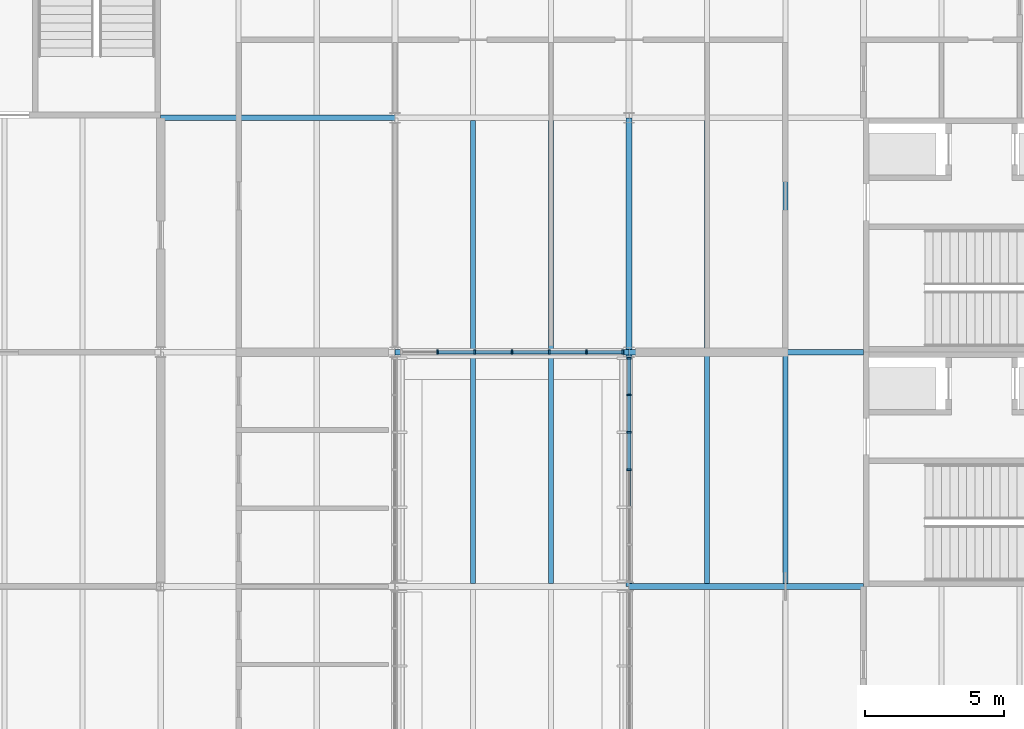
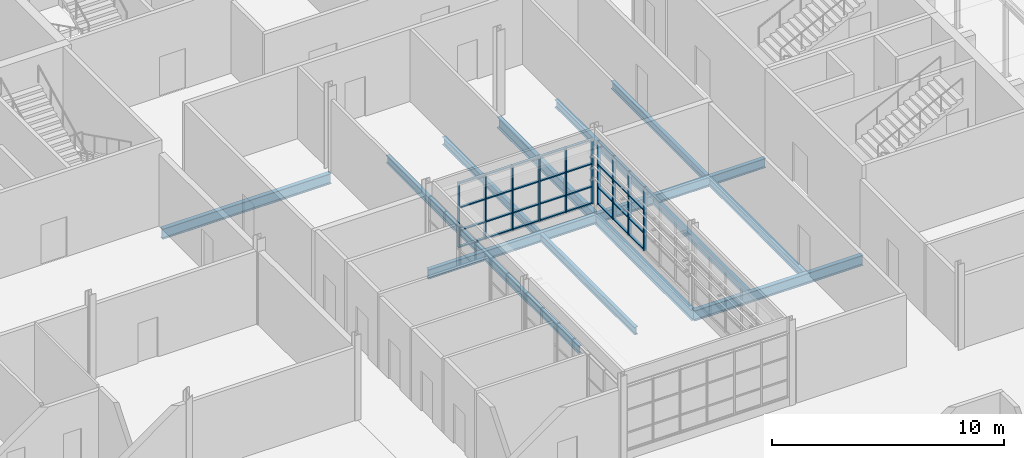
# One storey, part 61 of 116: 43 members, 14 beams, 2 elements without a shape of their own.
"""IFC4 building model written with IfcOpenShell, lengths in metres."""

from ifc_helpers import new_model, si_unit, direction, frame, origin, origin_2d, place, context, subcontext, project, spatial, rectangle, i_section, extrude, material, layer, layer_set, material_profile, profile_set, type_object, element, aggregate, save


model = new_model("IFC4")

# Units and contexts
model_context = context("Model", 3, precision=1e-05, world=origin(), true_north=direction((0.0, 1.0)))
body_context = subcontext(model_context, "Body", "Model", "MODEL_VIEW")
ifc_project = project(units=[si_unit("LENGTHUNIT", "METRE"), si_unit("AREAUNIT", "SQUARE_METRE"), si_unit("VOLUMEUNIT", "CUBIC_METRE"), si_unit("PLANEANGLEUNIT", "RADIAN"), si_unit("MASSUNIT", "GRAM", prefix="KILO")], contexts=[model_context])

# Site, building, storey
site_placement = place(None, origin())
site = spatial("IfcSite", under=ifc_project, at=site_placement, CompositionType="ELEMENT")
building_placement = place(site_placement, origin())
building = spatial("IfcBuilding", under=site, at=building_placement, Name="Ardhachandra Cancer Care Centre", CompositionType="ELEMENT")
storey_placement = place(building_placement, origin())
storey = spatial("IfcBuildingStorey", under=building, at=storey_placement, Name="L00", CompositionType="ELEMENT", Elevation=0.0)

# Beams
ifc_material_1 = material(Name="Steel E350 (IS 2062)", Category="steel")
ifc_material_profile_1 = material_profile(ifc_material_1, i_section(OverallWidth=0.179931640625, OverallDepth=0.39990234375, WebThickness=0.008544921875, FlangeThickness=0.013427734375, FilletRadius=0.02099609375, at=origin_2d()), Name="NPB 400x180x66.30")
ifc_profile_set_1 = profile_set([ifc_material_profile_1], Name="Steel E350 (IS 2062)")
beam_type_1 = type_object("IfcBeamType", Name="Beam NPB 400x180x66.30", PredefinedType="BEAM", material=ifc_profile_set_1)
for number, where, z_axis, x_axis, name in (
    (1, (122.800048828125, 71.5048828125, -0.35009765625), (0.0, 1.0, 0.0), (-1.0, 0.0, 0.0), "Secondary H14-J14@2800"),
    (2, (122.800048828125, 79.89990234375, -0.35009765625), (0.0, 1.0, 0.0), (-1.0, 0.0, 0.0), "Secondary J14-K14@2800"),
    (3, (125.60009765625, 71.5048828125, -0.35009765625), (0.0, 1.0, 0.0), (-1.0, 0.0, 0.0), "Secondary H14-J14@5600"),
    (4, (125.60009765625, 79.89990234375, -0.35009765625), (0.0, 1.0, 0.0), (-1.0, 0.0, 0.0), "Secondary J14-K14@5600"),
    (5, (131.199951171875, 71.5048828125, -0.35009765625), (0.0, 1.0, 0.0), (-1.0, 0.0, 0.0), "Secondary H15-J15@2800"),
    (6, (131.199951171875, 79.89990234375, -0.35009765625), (0.0, 1.0, 0.0), (-1.0, 0.0, 0.0), "Secondary J15-K15@2800"),
    (7, (134.0, 71.5048828125, -0.35009765625), (0.0, 1.0, 0.0), (-1.0, 0.0, 0.0), "Secondary H15-J15@5600"),
    (8, (134.0, 79.89990234375, -0.35009765625), (0.0, 1.0, 0.0), (-1.0, 0.0, 0.0), "Secondary J15-K15@5600"),
):
    element("IfcBeam", number, at=place(storey_placement, frame(where, z_axis=z_axis, x_axis=x_axis)), inside=storey, type_object=beam_type_1, Name=name, PredefinedType="BEAM", context=body_context, shape_type="SweptSolid", body=[
        extrude(i_section(OverallWidth=0.179931640625, OverallDepth=0.39990234375, WebThickness=0.008544921875, FlangeThickness=0.013427734375, FilletRadius=0.02099609375, at=origin_2d()), origin(), (0.0, 0.0, 1.0), 8.195068359375),
    ])
ifc_material_2 = material(Name="Steel E350 (IS 2062)", Category="steel")
ifc_material_profile_2 = material_profile(ifc_material_2, i_section(OverallWidth=0.199951171875, OverallDepth=0.5, WebThickness=0.01025390625, FlangeThickness=0.01611328125, FilletRadius=0.02099609375, at=origin_2d()), Name="NPB 500x200x90.68")
ifc_profile_set_2 = profile_set([ifc_material_profile_2], Name="Steel E350 (IS 2062)")
beam_type_2 = type_object("IfcBeamType", Name="Beam NPB 500x200x90.68", PredefinedType="BEAM", material=ifc_profile_set_2)
beam_1_placement = place(storey_placement, frame((120.0, 79.800048828125, -0.39990234375), z_axis=(1.0, 0.0, 0.0), x_axis=(0.0, 1.0, 0.0)))
element("IfcBeam", 9, at=beam_1_placement, inside=storey, type_object=beam_type_2, Name="Edge girder J14-J15", PredefinedType="BEAM", context=body_context, shape_type="SweptSolid", body=[
    extrude(i_section(OverallWidth=0.199951171875, OverallDepth=0.5, WebThickness=0.01025390625, FlangeThickness=0.01611328125, FilletRadius=0.02099609375, at=origin_2d()), origin(), (0.0, 0.0, 1.0), 8.39990234375),
])
beam_2_placement = place(storey_placement, frame((128.39990234375, 79.800048828125, -0.39990234375), z_axis=(1.0, 0.0, 0.0), x_axis=(0.0, 1.0, 0.0)))
element("IfcBeam", 10, at=beam_2_placement, inside=storey, type_object=beam_type_2, Name="Edge girder J15-J16", PredefinedType="BEAM", context=body_context, shape_type="SweptSolid", body=[
    extrude(i_section(OverallWidth=0.199951171875, OverallDepth=0.5, WebThickness=0.01025390625, FlangeThickness=0.01611328125, FilletRadius=0.02099609375, at=origin_2d()), origin(), (0.0, 0.0, 1.0), 8.400146484375),
])
ifc_material_3 = material(Name="Steel E350 (IS 2062)", Category="steel")
ifc_material_profile_3 = material_profile(ifc_material_3, i_section(OverallWidth=0.2099609375, OverallDepth=0.550048828125, WebThickness=0.010986328125, FlangeThickness=0.01708984375, FilletRadius=0.02392578125, at=origin_2d()), Name="NPB 550x210x105.52")
ifc_profile_set_3 = profile_set([ifc_material_profile_3], Name="Steel E350 (IS 2062)")
beam_type_3 = type_object("IfcBeamType", Name="Beam NPB 550x210x105.52", PredefinedType="BEAM", material=ifc_profile_set_3)
beam_3_placement = place(storey_placement, frame((128.39990234375, 71.39990234375, -0.425048828125), z_axis=(1.0, 0.0, 0.0), x_axis=(0.0, 1.0, 0.0)))
element("IfcBeam", 11, at=beam_3_placement, inside=storey, type_object=beam_type_3, Name="Girder H15-H16", PredefinedType="BEAM", context=body_context, shape_type="SweptSolid", body=[
    extrude(i_section(OverallWidth=0.2099609375, OverallDepth=0.550048828125, WebThickness=0.010986328125, FlangeThickness=0.01708984375, FilletRadius=0.02392578125, at=origin_2d()), origin(), (0.0, 0.0, 1.0), 8.400146484375),
])
beam_4_placement = place(storey_placement, frame((111.60009765625, 88.199951171875, -0.425048828125), z_axis=(1.0, 0.0, 0.0), x_axis=(0.0, 1.0, 0.0)))
element("IfcBeam", 12, at=beam_4_placement, inside=storey, type_object=beam_type_3, Name="Girder K13-K14", PredefinedType="BEAM", context=body_context, shape_type="SweptSolid", body=[
    extrude(i_section(OverallWidth=0.2099609375, OverallDepth=0.550048828125, WebThickness=0.010986328125, FlangeThickness=0.01708984375, FilletRadius=0.02392578125, at=origin_2d()), origin(), (0.0, 0.0, 1.0), 8.39990234375),
])
beam_5_placement = place(storey_placement, frame((128.39990234375, 71.39990234375, -0.425048828125), z_axis=(0.0, 1.0, 0.0), x_axis=(-1.0, 0.0, 0.0)))
element("IfcBeam", 13, at=beam_5_placement, inside=storey, type_object=beam_type_3, Name="Girder H15-J15", PredefinedType="BEAM", context=body_context, shape_type="SweptSolid", body=[
    extrude(i_section(OverallWidth=0.2099609375, OverallDepth=0.550048828125, WebThickness=0.010986328125, FlangeThickness=0.01708984375, FilletRadius=0.02392578125, at=origin_2d()), origin(), (0.0, 0.0, 1.0), 8.400146484375),
])
beam_6_placement = place(storey_placement, frame((128.39990234375, 79.800048828125, -0.425048828125), z_axis=(0.0, 1.0, 0.0), x_axis=(-1.0, 0.0, 0.0)))
element("IfcBeam", 14, at=beam_6_placement, inside=storey, type_object=beam_type_3, Name="Girder J15-K15", PredefinedType="BEAM", context=body_context, shape_type="SweptSolid", body=[
    extrude(i_section(OverallWidth=0.2099609375, OverallDepth=0.550048828125, WebThickness=0.010986328125, FlangeThickness=0.01708984375, FilletRadius=0.02392578125, at=origin_2d()), origin(), (0.0, 0.0, 1.0), 8.39990234375),
])

# Curtain wall, members
ifc_material_4 = material(Name="Aluminium extrusion", Category="aluminium")
ifc_layer = layer(ifc_material_4, 0.14990234375)
ifc_layer_set = layer_set([ifc_layer], Name="Aluminium extrusion")
curtain_wall_type = type_object("IfcCurtainWallType", Name="Curtain wall run", PredefinedType="NOTDEFINED", material=ifc_layer_set)
curtain_wall_1_placement = place(storey_placement, origin())
curtain_wall_1 = element("IfcCurtainWall", 15, at=curtain_wall_1_placement, inside=storey, type_object=curtain_wall_type, Name="Curtain wall L00 s/0120000_0079800", PredefinedType="NOTDEFINED")
ifc_material_5 = material(Name="Aluminium extrusion", Category="aluminium")
ifc_material_profile_4 = material_profile(ifc_material_5, rectangle(XDim=0.159912109375, YDim=0.06005859375, at=origin_2d()), Name="Curtain wall mullion 60 x 160")
ifc_profile_set_4 = profile_set([ifc_material_profile_4], Name="Aluminium extrusion")
member_type_1 = type_object("IfcMemberType", Name="Curtain wall mullion 60 x 160", PredefinedType="MULLION", material=ifc_profile_set_4)
member_1_placement = place(storey_placement, frame((121.53173828125, 79.800048828125, 0.449951171875), z_axis=(0.0, 0.0, 1.0), x_axis=(0.0, 1.0, 0.0)))
member_1 = element("IfcMember", 16, at=member_1_placement, type_object=member_type_1, Name="CW mullion 2", PredefinedType="MULLION", context=body_context, shape_type="SweptSolid", body=[
    extrude(rectangle(XDim=0.159912109375, YDim=0.06005859375, at=origin_2d()), origin(), (0.0, 0.0, 1.0), 3.400146484375),
])
member_2_placement = place(storey_placement, frame((122.86572265625, 79.800048828125, 0.449951171875), z_axis=(0.0, 0.0, 1.0), x_axis=(0.0, 1.0, 0.0)))
member_2 = element("IfcMember", 17, at=member_2_placement, type_object=member_type_1, Name="CW mullion 3", PredefinedType="MULLION", context=body_context, shape_type="SweptSolid", body=[
    extrude(rectangle(XDim=0.159912109375, YDim=0.06005859375, at=origin_2d()), origin(), (0.0, 0.0, 1.0), 3.400146484375),
])
member_3_placement = place(storey_placement, frame((124.199951171875, 79.800048828125, 0.449951171875), z_axis=(0.0, 0.0, 1.0), x_axis=(0.0, 1.0, 0.0)))
member_3 = element("IfcMember", 18, at=member_3_placement, type_object=member_type_1, Name="CW mullion 4", PredefinedType="MULLION", context=body_context, shape_type="SweptSolid", body=[
    extrude(rectangle(XDim=0.159912109375, YDim=0.06005859375, at=origin_2d()), origin(), (0.0, 0.0, 1.0), 3.400146484375),
])
member_4_placement = place(storey_placement, frame((125.5341796875, 79.800048828125, 0.449951171875), z_axis=(0.0, 0.0, 1.0), x_axis=(0.0, 1.0, 0.0)))
member_4 = element("IfcMember", 19, at=member_4_placement, type_object=member_type_1, Name="CW mullion 5", PredefinedType="MULLION", context=body_context, shape_type="SweptSolid", body=[
    extrude(rectangle(XDim=0.159912109375, YDim=0.06005859375, at=origin_2d()), origin(), (0.0, 0.0, 1.0), 3.400146484375),
])
member_5_placement = place(storey_placement, frame((126.868408203125, 79.800048828125, 0.449951171875), z_axis=(0.0, 0.0, 1.0), x_axis=(0.0, 1.0, 0.0)))
member_5 = element("IfcMember", 20, at=member_5_placement, type_object=member_type_1, Name="CW mullion 6", PredefinedType="MULLION", context=body_context, shape_type="SweptSolid", body=[
    extrude(rectangle(XDim=0.159912109375, YDim=0.06005859375, at=origin_2d()), origin(), (0.0, 0.0, 1.0), 3.400146484375),
])
member_6_placement = place(storey_placement, frame((128.172607421875, 79.800048828125, 0.449951171875), z_axis=(0.0, 0.0, 1.0), x_axis=(0.0, 1.0, 0.0)))
member_6 = element("IfcMember", 21, at=member_6_placement, type_object=member_type_1, Name="CW mullion 7", PredefinedType="MULLION", context=body_context, shape_type="SweptSolid", body=[
    extrude(rectangle(XDim=0.159912109375, YDim=0.06005859375, at=origin_2d()), origin(), (0.0, 0.0, 1.0), 3.400146484375),
])

curtain_wall_2_placement = place(storey_placement, origin())
curtain_wall_2 = element("IfcCurtainWall", 22, at=curtain_wall_2_placement, inside=storey, type_object=curtain_wall_type, Name="Curtain wall L00 w/0128400_0071400", PredefinedType="NOTDEFINED")
member_7_placement = place(storey_placement, frame((128.39990234375, 75.580078125, 0.449951171875), z_axis=(0.0, 0.0, 1.0), x_axis=(-1.0, 0.0, 0.0)))
member_7 = element("IfcMember", 23, at=member_7_placement, type_object=member_type_1, Name="CW mullion 4", PredefinedType="MULLION", context=body_context, shape_type="SweptSolid", body=[
    extrude(rectangle(XDim=0.159912109375, YDim=0.06005859375, at=origin_2d()), origin(), (0.0, 0.0, 1.0), 3.35009765625),
])
member_8_placement = place(storey_placement, frame((128.39990234375, 76.92333984375, 0.449951171875), z_axis=(0.0, 0.0, 1.0), x_axis=(-1.0, 0.0, 0.0)))
member_8 = element("IfcMember", 24, at=member_8_placement, type_object=member_type_1, Name="CW mullion 5", PredefinedType="MULLION", context=body_context, shape_type="SweptSolid", body=[
    extrude(rectangle(XDim=0.159912109375, YDim=0.06005859375, at=origin_2d()), origin(), (0.0, 0.0, 1.0), 3.35009765625),
])
member_9_placement = place(storey_placement, frame((128.39990234375, 78.2666015625, 0.449951171875), z_axis=(0.0, 0.0, 1.0), x_axis=(-1.0, 0.0, 0.0)))
member_9 = element("IfcMember", 25, at=member_9_placement, type_object=member_type_1, Name="CW mullion 6", PredefinedType="MULLION", context=body_context, shape_type="SweptSolid", body=[
    extrude(rectangle(XDim=0.159912109375, YDim=0.06005859375, at=origin_2d()), origin(), (0.0, 0.0, 1.0), 3.35009765625),
])
member_10_placement = place(storey_placement, frame((128.39990234375, 79.580078125, 0.449951171875), z_axis=(0.0, 0.0, 1.0), x_axis=(-1.0, 0.0, 0.0)))
member_10 = element("IfcMember", 26, at=member_10_placement, type_object=member_type_1, Name="CW mullion 7", PredefinedType="MULLION", context=body_context, shape_type="SweptSolid", body=[
    extrude(rectangle(XDim=0.159912109375, YDim=0.06005859375, at=origin_2d()), origin(), (0.0, 0.0, 1.0), 3.35009765625),
])

# Member
ifc_material_6 = material(Name="Aluminium extrusion", Category="aluminium")
ifc_material_profile_5 = material_profile(ifc_material_6, rectangle(XDim=0.1201171875, YDim=0.06005859375, at=origin_2d()), Name="Curtain wall transom 60 x 120")
ifc_profile_set_5 = profile_set([ifc_material_profile_5], Name="Aluminium extrusion")
member_type_2 = type_object("IfcMemberType", Name="Curtain wall transom 60 x 120", PredefinedType="USERDEFINED", material=ifc_profile_set_5)
member_11_placement = place(storey_placement, frame((121.561767578125, 79.800048828125, 0.47998046875), z_axis=(1.0, 0.0, 0.0), x_axis=(0.0, 1.0, 0.0)))
member_11 = element("IfcMember", 27, at=member_11_placement, type_object=member_type_2, Name="CW transom 2.1", ObjectType="TRANSOM", PredefinedType="USERDEFINED", context=body_context, shape_type="SweptSolid", body=[
    extrude(rectangle(XDim=0.1201171875, YDim=0.06005859375, at=origin_2d()), origin(), (0.0, 0.0, 1.0), 1.274169921875),
])

member_12_placement = place(storey_placement, frame((121.561767578125, 79.800048828125, 1.35009765625), z_axis=(1.0, 0.0, 0.0), x_axis=(0.0, 1.0, 0.0)))
member_12 = element("IfcMember", 28, at=member_12_placement, type_object=member_type_2, Name="CW transom 2.2", ObjectType="TRANSOM", PredefinedType="USERDEFINED", context=body_context, shape_type="SweptSolid", body=[
    extrude(rectangle(XDim=0.1201171875, YDim=0.06005859375, at=origin_2d()), origin(), (0.0, 0.0, 1.0), 1.274169921875),
])

member_13_placement = place(storey_placement, frame((121.561767578125, 79.800048828125, 2.550048828125), z_axis=(1.0, 0.0, 0.0), x_axis=(0.0, 1.0, 0.0)))
member_13 = element("IfcMember", 29, at=member_13_placement, type_object=member_type_2, Name="CW transom 2.3", ObjectType="TRANSOM", PredefinedType="USERDEFINED", context=body_context, shape_type="SweptSolid", body=[
    extrude(rectangle(XDim=0.1201171875, YDim=0.06005859375, at=origin_2d()), origin(), (0.0, 0.0, 1.0), 1.274169921875),
])

member_14_placement = place(storey_placement, frame((121.561767578125, 79.800048828125, 3.820068359375), z_axis=(1.0, 0.0, 0.0), x_axis=(0.0, 1.0, 0.0)))
member_14 = element("IfcMember", 30, at=member_14_placement, type_object=member_type_2, Name="CW transom 2.4", ObjectType="TRANSOM", PredefinedType="USERDEFINED", context=body_context, shape_type="SweptSolid", body=[
    extrude(rectangle(XDim=0.1201171875, YDim=0.06005859375, at=origin_2d()), origin(), (0.0, 0.0, 1.0), 1.274169921875),
])

member_15_placement = place(storey_placement, frame((122.895751953125, 79.800048828125, 0.47998046875), z_axis=(1.0, 0.0, 0.0), x_axis=(0.0, 1.0, 0.0)))
member_15 = element("IfcMember", 31, at=member_15_placement, type_object=member_type_2, Name="CW transom 3.1", ObjectType="TRANSOM", PredefinedType="USERDEFINED", context=body_context, shape_type="SweptSolid", body=[
    extrude(rectangle(XDim=0.1201171875, YDim=0.06005859375, at=origin_2d()), origin(), (0.0, 0.0, 1.0), 1.274169921875),
])

member_16_placement = place(storey_placement, frame((122.895751953125, 79.800048828125, 1.35009765625), z_axis=(1.0, 0.0, 0.0), x_axis=(0.0, 1.0, 0.0)))
member_16 = element("IfcMember", 32, at=member_16_placement, type_object=member_type_2, Name="CW transom 3.2", ObjectType="TRANSOM", PredefinedType="USERDEFINED", context=body_context, shape_type="SweptSolid", body=[
    extrude(rectangle(XDim=0.1201171875, YDim=0.06005859375, at=origin_2d()), origin(), (0.0, 0.0, 1.0), 1.274169921875),
])

member_17_placement = place(storey_placement, frame((122.895751953125, 79.800048828125, 2.550048828125), z_axis=(1.0, 0.0, 0.0), x_axis=(0.0, 1.0, 0.0)))
member_17 = element("IfcMember", 33, at=member_17_placement, type_object=member_type_2, Name="CW transom 3.3", ObjectType="TRANSOM", PredefinedType="USERDEFINED", context=body_context, shape_type="SweptSolid", body=[
    extrude(rectangle(XDim=0.1201171875, YDim=0.06005859375, at=origin_2d()), origin(), (0.0, 0.0, 1.0), 1.274169921875),
])

member_18_placement = place(storey_placement, frame((122.895751953125, 79.800048828125, 3.820068359375), z_axis=(1.0, 0.0, 0.0), x_axis=(0.0, 1.0, 0.0)))
member_18 = element("IfcMember", 34, at=member_18_placement, type_object=member_type_2, Name="CW transom 3.4", ObjectType="TRANSOM", PredefinedType="USERDEFINED", context=body_context, shape_type="SweptSolid", body=[
    extrude(rectangle(XDim=0.1201171875, YDim=0.06005859375, at=origin_2d()), origin(), (0.0, 0.0, 1.0), 1.274169921875),
])

member_19_placement = place(storey_placement, frame((124.22998046875, 79.800048828125, 0.47998046875), z_axis=(1.0, 0.0, 0.0), x_axis=(0.0, 1.0, 0.0)))
member_19 = element("IfcMember", 35, at=member_19_placement, type_object=member_type_2, Name="CW transom 4.1", ObjectType="TRANSOM", PredefinedType="USERDEFINED", context=body_context, shape_type="SweptSolid", body=[
    extrude(rectangle(XDim=0.1201171875, YDim=0.06005859375, at=origin_2d()), origin(), (0.0, 0.0, 1.0), 1.274169921875),
])

member_20_placement = place(storey_placement, frame((124.22998046875, 79.800048828125, 1.35009765625), z_axis=(1.0, 0.0, 0.0), x_axis=(0.0, 1.0, 0.0)))
member_20 = element("IfcMember", 36, at=member_20_placement, type_object=member_type_2, Name="CW transom 4.2", ObjectType="TRANSOM", PredefinedType="USERDEFINED", context=body_context, shape_type="SweptSolid", body=[
    extrude(rectangle(XDim=0.1201171875, YDim=0.06005859375, at=origin_2d()), origin(), (0.0, 0.0, 1.0), 1.274169921875),
])

member_21_placement = place(storey_placement, frame((124.22998046875, 79.800048828125, 2.550048828125), z_axis=(1.0, 0.0, 0.0), x_axis=(0.0, 1.0, 0.0)))
member_21 = element("IfcMember", 37, at=member_21_placement, type_object=member_type_2, Name="CW transom 4.3", ObjectType="TRANSOM", PredefinedType="USERDEFINED", context=body_context, shape_type="SweptSolid", body=[
    extrude(rectangle(XDim=0.1201171875, YDim=0.06005859375, at=origin_2d()), origin(), (0.0, 0.0, 1.0), 1.274169921875),
])

member_22_placement = place(storey_placement, frame((124.22998046875, 79.800048828125, 3.820068359375), z_axis=(1.0, 0.0, 0.0), x_axis=(0.0, 1.0, 0.0)))
member_22 = element("IfcMember", 38, at=member_22_placement, type_object=member_type_2, Name="CW transom 4.4", ObjectType="TRANSOM", PredefinedType="USERDEFINED", context=body_context, shape_type="SweptSolid", body=[
    extrude(rectangle(XDim=0.1201171875, YDim=0.06005859375, at=origin_2d()), origin(), (0.0, 0.0, 1.0), 1.274169921875),
])

member_23_placement = place(storey_placement, frame((125.564208984375, 79.800048828125, 0.47998046875), z_axis=(1.0, 0.0, 0.0), x_axis=(0.0, 1.0, 0.0)))
member_23 = element("IfcMember", 39, at=member_23_placement, type_object=member_type_2, Name="CW transom 5.1", ObjectType="TRANSOM", PredefinedType="USERDEFINED", context=body_context, shape_type="SweptSolid", body=[
    extrude(rectangle(XDim=0.1201171875, YDim=0.06005859375, at=origin_2d()), origin(), (0.0, 0.0, 1.0), 1.274169921875),
])

member_24_placement = place(storey_placement, frame((125.564208984375, 79.800048828125, 1.35009765625), z_axis=(1.0, 0.0, 0.0), x_axis=(0.0, 1.0, 0.0)))
member_24 = element("IfcMember", 40, at=member_24_placement, type_object=member_type_2, Name="CW transom 5.2", ObjectType="TRANSOM", PredefinedType="USERDEFINED", context=body_context, shape_type="SweptSolid", body=[
    extrude(rectangle(XDim=0.1201171875, YDim=0.06005859375, at=origin_2d()), origin(), (0.0, 0.0, 1.0), 1.274169921875),
])

member_25_placement = place(storey_placement, frame((125.564208984375, 79.800048828125, 2.550048828125), z_axis=(1.0, 0.0, 0.0), x_axis=(0.0, 1.0, 0.0)))
member_25 = element("IfcMember", 41, at=member_25_placement, type_object=member_type_2, Name="CW transom 5.3", ObjectType="TRANSOM", PredefinedType="USERDEFINED", context=body_context, shape_type="SweptSolid", body=[
    extrude(rectangle(XDim=0.1201171875, YDim=0.06005859375, at=origin_2d()), origin(), (0.0, 0.0, 1.0), 1.274169921875),
])

member_26_placement = place(storey_placement, frame((125.564208984375, 79.800048828125, 3.820068359375), z_axis=(1.0, 0.0, 0.0), x_axis=(0.0, 1.0, 0.0)))
member_26 = element("IfcMember", 42, at=member_26_placement, type_object=member_type_2, Name="CW transom 5.4", ObjectType="TRANSOM", PredefinedType="USERDEFINED", context=body_context, shape_type="SweptSolid", body=[
    extrude(rectangle(XDim=0.1201171875, YDim=0.06005859375, at=origin_2d()), origin(), (0.0, 0.0, 1.0), 1.274169921875),
])

member_27_placement = place(storey_placement, frame((126.8984375, 79.800048828125, 0.47998046875), z_axis=(1.0, 0.0, 0.0), x_axis=(0.0, 1.0, 0.0)))
member_27 = element("IfcMember", 43, at=member_27_placement, type_object=member_type_2, Name="CW transom 6.1", ObjectType="TRANSOM", PredefinedType="USERDEFINED", context=body_context, shape_type="SweptSolid", body=[
    extrude(rectangle(XDim=0.1201171875, YDim=0.06005859375, at=origin_2d()), origin(), (0.0, 0.0, 1.0), 1.244140625),
])

member_28_placement = place(storey_placement, frame((126.8984375, 79.800048828125, 1.35009765625), z_axis=(1.0, 0.0, 0.0), x_axis=(0.0, 1.0, 0.0)))
member_28 = element("IfcMember", 44, at=member_28_placement, type_object=member_type_2, Name="CW transom 6.2", ObjectType="TRANSOM", PredefinedType="USERDEFINED", context=body_context, shape_type="SweptSolid", body=[
    extrude(rectangle(XDim=0.1201171875, YDim=0.06005859375, at=origin_2d()), origin(), (0.0, 0.0, 1.0), 1.244140625),
])

member_29_placement = place(storey_placement, frame((126.8984375, 79.800048828125, 2.550048828125), z_axis=(1.0, 0.0, 0.0), x_axis=(0.0, 1.0, 0.0)))
member_29 = element("IfcMember", 45, at=member_29_placement, type_object=member_type_2, Name="CW transom 6.3", ObjectType="TRANSOM", PredefinedType="USERDEFINED", context=body_context, shape_type="SweptSolid", body=[
    extrude(rectangle(XDim=0.1201171875, YDim=0.06005859375, at=origin_2d()), origin(), (0.0, 0.0, 1.0), 1.244140625),
])

member_30_placement = place(storey_placement, frame((126.8984375, 79.800048828125, 3.820068359375), z_axis=(1.0, 0.0, 0.0), x_axis=(0.0, 1.0, 0.0)))
member_30 = element("IfcMember", 46, at=member_30_placement, type_object=member_type_2, Name="CW transom 6.4", ObjectType="TRANSOM", PredefinedType="USERDEFINED", context=body_context, shape_type="SweptSolid", body=[
    extrude(rectangle(XDim=0.1201171875, YDim=0.06005859375, at=origin_2d()), origin(), (0.0, 0.0, 1.0), 1.244140625),
])

aggregate(curtain_wall_1, [member_1, member_2, member_3, member_4, member_5, member_6, member_11, member_12, member_13, member_14, member_15, member_16, member_17, member_18, member_19, member_20, member_21, member_22, member_23, member_24, member_25, member_26, member_27, member_28, member_29, member_30])

member_31_placement = place(storey_placement, frame((128.39990234375, 74.2666015625, 3.77001953125), z_axis=(0.0, 1.0, 0.0), x_axis=(-1.0, 0.0, 0.0)))
member_31 = element("IfcMember", 47, at=member_31_placement, type_object=member_type_2, Name="CW transom 3.4", ObjectType="TRANSOM", PredefinedType="USERDEFINED", context=body_context, shape_type="SweptSolid", body=[
    extrude(rectangle(XDim=0.1201171875, YDim=0.06005859375, at=origin_2d()), origin(), (0.0, 0.0, 1.0), 1.283447265625),
])

member_32_placement = place(storey_placement, frame((128.39990234375, 75.610107421875, 0.47998046875), z_axis=(0.0, 1.0, 0.0), x_axis=(-1.0, 0.0, 0.0)))
member_32 = element("IfcMember", 48, at=member_32_placement, type_object=member_type_2, Name="CW transom 4.1", ObjectType="TRANSOM", PredefinedType="USERDEFINED", context=body_context, shape_type="SweptSolid", body=[
    extrude(rectangle(XDim=0.1201171875, YDim=0.06005859375, at=origin_2d()), origin(), (0.0, 0.0, 1.0), 1.283203125),
])

member_33_placement = place(storey_placement, frame((128.39990234375, 75.610107421875, 1.35009765625), z_axis=(0.0, 1.0, 0.0), x_axis=(-1.0, 0.0, 0.0)))
member_33 = element("IfcMember", 49, at=member_33_placement, type_object=member_type_2, Name="CW transom 4.2", ObjectType="TRANSOM", PredefinedType="USERDEFINED", context=body_context, shape_type="SweptSolid", body=[
    extrude(rectangle(XDim=0.1201171875, YDim=0.06005859375, at=origin_2d()), origin(), (0.0, 0.0, 1.0), 1.283203125),
])

member_34_placement = place(storey_placement, frame((128.39990234375, 75.610107421875, 2.550048828125), z_axis=(0.0, 1.0, 0.0), x_axis=(-1.0, 0.0, 0.0)))
member_34 = element("IfcMember", 50, at=member_34_placement, type_object=member_type_2, Name="CW transom 4.3", ObjectType="TRANSOM", PredefinedType="USERDEFINED", context=body_context, shape_type="SweptSolid", body=[
    extrude(rectangle(XDim=0.1201171875, YDim=0.06005859375, at=origin_2d()), origin(), (0.0, 0.0, 1.0), 1.283203125),
])

member_35_placement = place(storey_placement, frame((128.39990234375, 75.610107421875, 3.77001953125), z_axis=(0.0, 1.0, 0.0), x_axis=(-1.0, 0.0, 0.0)))
member_35 = element("IfcMember", 51, at=member_35_placement, type_object=member_type_2, Name="CW transom 4.4", ObjectType="TRANSOM", PredefinedType="USERDEFINED", context=body_context, shape_type="SweptSolid", body=[
    extrude(rectangle(XDim=0.1201171875, YDim=0.06005859375, at=origin_2d()), origin(), (0.0, 0.0, 1.0), 1.283203125),
])

member_36_placement = place(storey_placement, frame((128.39990234375, 76.953369140625, 0.47998046875), z_axis=(0.0, 1.0, 0.0), x_axis=(-1.0, 0.0, 0.0)))
member_36 = element("IfcMember", 52, at=member_36_placement, type_object=member_type_2, Name="CW transom 5.1", ObjectType="TRANSOM", PredefinedType="USERDEFINED", context=body_context, shape_type="SweptSolid", body=[
    extrude(rectangle(XDim=0.1201171875, YDim=0.06005859375, at=origin_2d()), origin(), (0.0, 0.0, 1.0), 1.283203125),
])

member_37_placement = place(storey_placement, frame((128.39990234375, 76.953369140625, 1.35009765625), z_axis=(0.0, 1.0, 0.0), x_axis=(-1.0, 0.0, 0.0)))
member_37 = element("IfcMember", 53, at=member_37_placement, type_object=member_type_2, Name="CW transom 5.2", ObjectType="TRANSOM", PredefinedType="USERDEFINED", context=body_context, shape_type="SweptSolid", body=[
    extrude(rectangle(XDim=0.1201171875, YDim=0.06005859375, at=origin_2d()), origin(), (0.0, 0.0, 1.0), 1.283203125),
])

member_38_placement = place(storey_placement, frame((128.39990234375, 76.953369140625, 2.550048828125), z_axis=(0.0, 1.0, 0.0), x_axis=(-1.0, 0.0, 0.0)))
member_38 = element("IfcMember", 54, at=member_38_placement, type_object=member_type_2, Name="CW transom 5.3", ObjectType="TRANSOM", PredefinedType="USERDEFINED", context=body_context, shape_type="SweptSolid", body=[
    extrude(rectangle(XDim=0.1201171875, YDim=0.06005859375, at=origin_2d()), origin(), (0.0, 0.0, 1.0), 1.283203125),
])

member_39_placement = place(storey_placement, frame((128.39990234375, 76.953369140625, 3.77001953125), z_axis=(0.0, 1.0, 0.0), x_axis=(-1.0, 0.0, 0.0)))
member_39 = element("IfcMember", 55, at=member_39_placement, type_object=member_type_2, Name="CW transom 5.4", ObjectType="TRANSOM", PredefinedType="USERDEFINED", context=body_context, shape_type="SweptSolid", body=[
    extrude(rectangle(XDim=0.1201171875, YDim=0.06005859375, at=origin_2d()), origin(), (0.0, 0.0, 1.0), 1.283203125),
])

member_40_placement = place(storey_placement, frame((128.39990234375, 78.296630859375, 0.47998046875), z_axis=(0.0, 1.0, 0.0), x_axis=(-1.0, 0.0, 0.0)))
member_40 = element("IfcMember", 56, at=member_40_placement, type_object=member_type_2, Name="CW transom 6.1", ObjectType="TRANSOM", PredefinedType="USERDEFINED", context=body_context, shape_type="SweptSolid", body=[
    extrude(rectangle(XDim=0.1201171875, YDim=0.06005859375, at=origin_2d()), origin(), (0.0, 0.0, 1.0), 1.25341796875),
])

member_41_placement = place(storey_placement, frame((128.39990234375, 78.296630859375, 1.35009765625), z_axis=(0.0, 1.0, 0.0), x_axis=(-1.0, 0.0, 0.0)))
member_41 = element("IfcMember", 57, at=member_41_placement, type_object=member_type_2, Name="CW transom 6.2", ObjectType="TRANSOM", PredefinedType="USERDEFINED", context=body_context, shape_type="SweptSolid", body=[
    extrude(rectangle(XDim=0.1201171875, YDim=0.06005859375, at=origin_2d()), origin(), (0.0, 0.0, 1.0), 1.25341796875),
])

member_42_placement = place(storey_placement, frame((128.39990234375, 78.296630859375, 2.550048828125), z_axis=(0.0, 1.0, 0.0), x_axis=(-1.0, 0.0, 0.0)))
member_42 = element("IfcMember", 58, at=member_42_placement, type_object=member_type_2, Name="CW transom 6.3", ObjectType="TRANSOM", PredefinedType="USERDEFINED", context=body_context, shape_type="SweptSolid", body=[
    extrude(rectangle(XDim=0.1201171875, YDim=0.06005859375, at=origin_2d()), origin(), (0.0, 0.0, 1.0), 1.25341796875),
])

member_43_placement = place(storey_placement, frame((128.39990234375, 78.296630859375, 3.77001953125), z_axis=(0.0, 1.0, 0.0), x_axis=(-1.0, 0.0, 0.0)))
member_43 = element("IfcMember", 59, at=member_43_placement, type_object=member_type_2, Name="CW transom 6.4", ObjectType="TRANSOM", PredefinedType="USERDEFINED", context=body_context, shape_type="SweptSolid", body=[
    extrude(rectangle(XDim=0.1201171875, YDim=0.06005859375, at=origin_2d()), origin(), (0.0, 0.0, 1.0), 1.25341796875),
])

aggregate(curtain_wall_2, [member_7, member_8, member_9, member_10, member_31, member_32, member_33, member_34, member_35, member_36, member_37, member_38, member_39, member_40, member_41, member_42, member_43])

save(model, "model.ifc")
